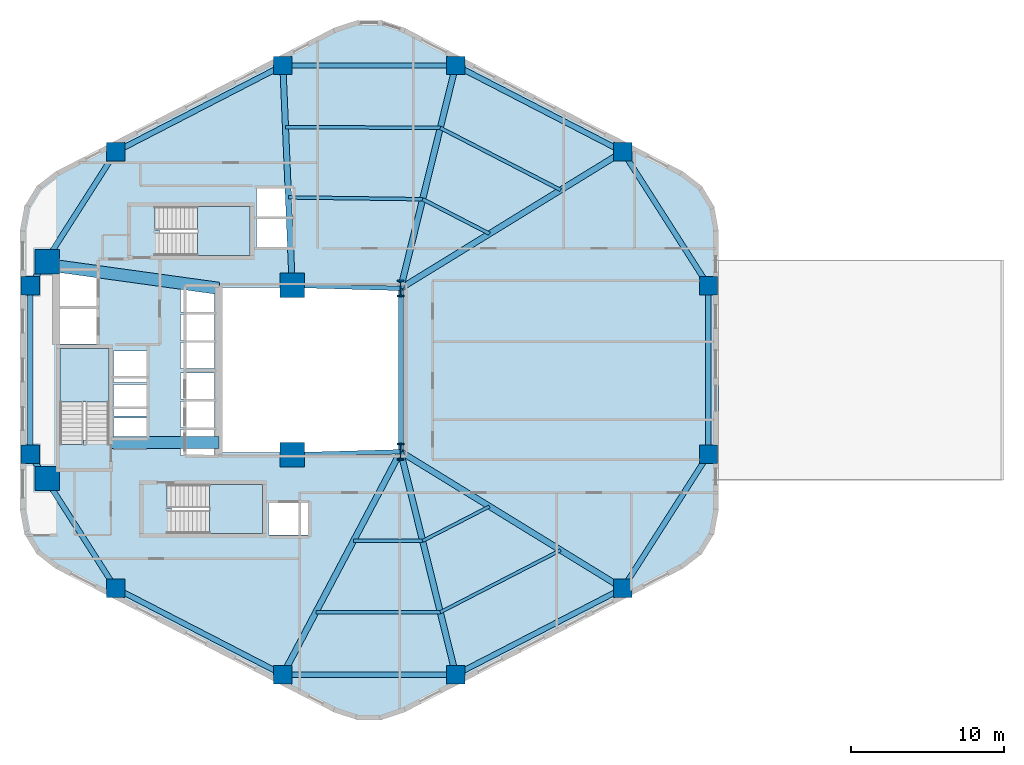
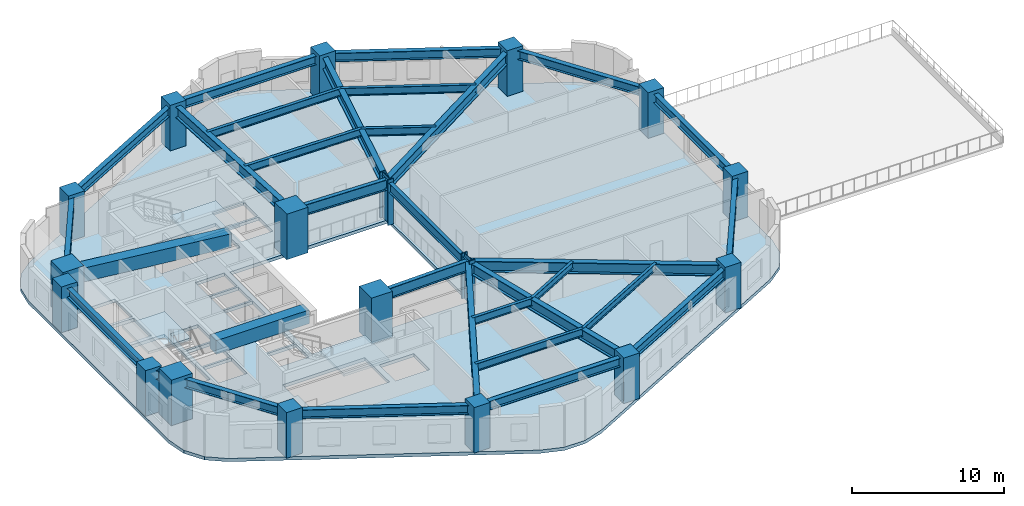
# One storey, part 1 of 8: 31 beams, 18 columns, 4 slabs, 3 elements without a shape of their own.
"""IFC4 building model written with IfcOpenShell, lengths in metres."""

from ifc_helpers import new_model, si_unit, direction, frame, origin, origin_2d, place, context, subcontext, project, spatial, polyline, rectangle, i_section, outline, extrude, material, layer, layer_set, material_profile, profile_set, type_object, element, aggregate, save


model = new_model("IFC4")

# Units and contexts
model_context = context("Model", 3, precision=1e-05, world=origin(), true_north=direction((0.0, 1.0)))
body_context = subcontext(model_context, "Body", "Model", "MODEL_VIEW")
ifc_project = project(units=[si_unit("LENGTHUNIT", "METRE"), si_unit("AREAUNIT", "SQUARE_METRE"), si_unit("VOLUMEUNIT", "CUBIC_METRE"), si_unit("PLANEANGLEUNIT", "RADIAN"), si_unit("MASSUNIT", "GRAM", prefix="KILO"), si_unit("THERMODYNAMICTEMPERATUREUNIT", "KELVIN"), si_unit("POWERUNIT", "WATT")], contexts=[model_context])

# Site, building, storey
site_placement = place(None, origin())
site = spatial("IfcSite", under=ifc_project, at=site_placement, CompositionType="ELEMENT")
building_placement = place(site_placement, origin())
building = spatial("IfcBuilding", under=site, at=building_placement, Name="Skarre Station Tower", CompositionType="ELEMENT")
storey_placement = place(building_placement, frame((0.0, 0.0, 63.5)))
storey = spatial("IfcBuildingStorey", under=building, at=storey_placement, Name="L16", CompositionType="ELEMENT", Elevation=63.5)

# Columns
ifc_material_1 = material(Name="Concrete C60/75", Category="concrete")
ifc_material_profile_1 = material_profile(ifc_material_1, rectangle(XDim=1.199951171875, YDim=1.199951171875, at=origin_2d()), Name="Concrete C60/75")
ifc_profile_set_1 = profile_set([ifc_material_profile_1], Name="Concrete C60/75")
column_type_1 = type_object("IfcColumnType", Name="RC Structural Column RC-COL-1200X1200", PredefinedType="COLUMN", material=ifc_profile_set_1)
for number, where, z_axis, x_axis, name in (
    (1, (54.007080078125, 38.298095703125, 0.0), (0.0, 0.0, 1.0), (1.0, 0.0, 0.0), "L16 Zone 1 Perimeter Column F0C1"),
    (2, (43.06005859375, 43.947021484375, 0.0), (0.0, 0.0, 1.0), (1.0, 0.0, 0.0), "L16 Zone 1 Perimeter Column F0C2"),
    (3, (31.739990234375, 43.947021484375, 0.0), (0.0, 0.0, 1.0), (1.0, 0.0, 0.0), "L16 Zone 1 Perimeter Column F1C1"),
    (4, (20.79296875, 38.298095703125, 0.0), (0.0, 0.0, 1.0), (1.0, 0.0, 0.0), "L16 Zone 1 Perimeter Column F1C2"),
    (5, (15.18701171875, 29.52099609375, 0.0), (0.0, 0.0, 1.0), (1.0, 0.0, 0.0), "L16 Zone 1 Perimeter Column F2C1"),
    (6, (15.18701171875, 18.47900390625, 0.0), (0.0, 0.0, 1.0), (1.0, 0.0, 0.0), "L16 Zone 1 Perimeter Column F2C2"),
    (7, (20.79296875, 9.701904296875, 0.0), (0.0, 0.0, 1.0), (1.0, 0.0, 0.0), "L16 Zone 1 Perimeter Column F3C1"),
    (8, (31.739990234375, 4.052978515625, 0.0), (0.0, 0.0, 1.0), (1.0, 0.0, 0.0), "L16 Zone 1 Perimeter Column F3C2"),
    (9, (43.06005859375, 4.052978515625, 0.0), (0.0, 0.0, 1.0), (1.0, 0.0, 0.0), "L16 Zone 1 Perimeter Column F4C1"),
    (10, (54.007080078125, 9.701904296875, 0.0), (0.0, 0.0, 1.0), (1.0, 0.0, 0.0), "L16 Zone 1 Perimeter Column F4C2"),
    (11, (59.613037109375, 18.47900390625, 0.0), (0.0, 0.0, 1.0), (1.0, 0.0, 0.0), "L16 Zone 1 Perimeter Column F5C1"),
    (12, (59.613037109375, 29.52099609375, 0.0), (0.0, 0.0, 1.0), (1.0, 0.0, 0.0), "L16 Zone 1 Perimeter Column F5C2"),
):
    element("IfcColumn", number, at=place(storey_placement, frame(where, z_axis=z_axis, x_axis=x_axis)), inside=storey, type_object=column_type_1, Name=name, PredefinedType="COLUMN", context=body_context, shape_type="SweptSolid", body=[
        extrude(rectangle(XDim=1.199951171875, YDim=1.199951171875, at=origin_2d()), origin(), (0.0, 0.0, 1.0), 3.64990234375),
    ])
ifc_material_2 = material(Name="Concrete C70/85", Category="concrete")
ifc_material_profile_2 = material_profile(ifc_material_2, rectangle(XDim=1.60009765625, YDim=1.60009765625, at=origin_2d()), Name="Concrete C70/85")
ifc_profile_set_2 = profile_set([ifc_material_profile_2], Name="Concrete C70/85")
column_type_2 = type_object("IfcColumnType", Name="RC Structural Column RC-COL-1600X1600", PredefinedType="COLUMN", material=ifc_profile_set_2)
for number, where, z_axis, x_axis, name in (
    (13, (16.300048828125, 16.89990234375, 0.0), (0.0, 0.0, 1.0), (1.0, 0.0, 0.0), "L16 Core Column CC-SW"),
    (14, (16.300048828125, 31.10009765625, 0.0), (0.0, 0.0, 1.0), (1.0, 0.0, 0.0), "L16 Core Column CC-NW"),
    (15, (32.35009765625, 18.449951171875, 0.0), (0.0, 0.0, 1.0), (1.0, 0.0, 0.0), "L16 Core Column CC-SE"),
    (16, (32.35009765625, 29.550048828125, 0.0), (0.0, 0.0, 1.0), (1.0, 0.0, 0.0), "L16 Core Column CC-NE"),
):
    element("IfcColumn", number, at=place(storey_placement, frame(where, z_axis=z_axis, x_axis=x_axis)), inside=storey, type_object=column_type_2, Name=name, PredefinedType="COLUMN", context=body_context, shape_type="SweptSolid", body=[
        extrude(rectangle(XDim=1.60009765625, YDim=1.60009765625, at=origin_2d()), origin(), (0.0, 0.0, 1.0), 3.64990234375),
    ])
ifc_material_3 = material(Name="Steel ASTM A913 Grade 65", Category="steel")
ifc_material_profile_3 = material_profile(ifc_material_3, i_section(OverallWidth=0.424072265625, OverallDepth=1.092041015625, WebThickness=0.044921875, FlangeThickness=0.08203125, at=origin_2d()), Name="Steel ASTM A913 Grade 65")
ifc_profile_set_3 = profile_set([ifc_material_profile_3], Name="Steel ASTM A913 Grade 65")
column_type_3 = type_object("IfcColumnType", Name="Steel Column W40X593", PredefinedType="COLUMN", material=ifc_profile_set_3)
for number, where, z_axis, x_axis, name in (
    (17, (39.449951171875, 18.64990234375, 0.0), (0.0, 0.0, 1.0), (1.0, 0.0, 0.0), "L16 Atrium Spine Column AC-SE"),
    (18, (39.449951171875, 29.35009765625, 0.0), (0.0, 0.0, 1.0), (1.0, 0.0, 0.0), "L16 Atrium Spine Column AC-NE"),
):
    element("IfcColumn", number, at=place(storey_placement, frame(where, z_axis=z_axis, x_axis=x_axis)), inside=storey, type_object=column_type_3, Name=name, PredefinedType="COLUMN", context=body_context, shape_type="SweptSolid", body=[
        extrude(i_section(OverallWidth=0.424072265625, OverallDepth=1.092041015625, WebThickness=0.044921875, FlangeThickness=0.08203125, at=origin_2d()), origin(), (0.0, 0.0, 1.0), 3.64990234375),
    ])

# Beams
ifc_material_profile_4 = material_profile(ifc_material_2, rectangle(XDim=0.800048828125, YDim=1.10009765625, at=origin_2d()), Name="Concrete C70/85")
ifc_profile_set_4 = profile_set([ifc_material_profile_4], Name="Concrete C70/85")
beam_type_1 = type_object("IfcBeamType", Name="RC Core Coupling Lintel 800x1100", PredefinedType="LINTEL", material=ifc_profile_set_4)
beam_1_placement = place(storey_placement, frame((20.489990234375, 19.260009765625, 2.840087890625), z_axis=(1.0, 0.0, 0.0), x_axis=(0.0, 1.0, 0.0)))
element("IfcBeam", 19, at=beam_1_placement, inside=storey, type_object=beam_type_1, Name="L16 South Core Coupling Lintel", PredefinedType="LINTEL", context=body_context, shape_type="SweptSolid", body=[
    extrude(rectangle(XDim=0.800048828125, YDim=1.10009765625, at=origin_2d()), origin(), (0.0, 0.0, 1.0), 7.06005859375),
])
beam_2_placement = place(storey_placement, frame((17.050048828125, 30.800048828125, 2.840087890625), z_axis=(0.990599723633, -0.136792498109, 0.0), x_axis=(0.136792498109, 0.990599723633, 0.0)))
element("IfcBeam", 20, at=beam_2_placement, inside=storey, type_object=beam_type_1, Name="L16 North Core Coupling Lintel", PredefinedType="LINTEL", context=body_context, shape_type="SweptSolid", body=[
    extrude(rectangle(XDim=0.800048828125, YDim=1.10009765625, at=origin_2d()), origin(), (0.0, 0.0, 1.0), 10.599609375),
])
ifc_material_4 = material(Name="Steel ASTM A992 Grade 50", Category="steel")
ifc_material_profile_5 = material_profile(ifc_material_4, i_section(OverallWidth=0.26806640625, OverallDepth=0.77001953125, WebThickness=0.01611328125, FlangeThickness=0.02490234375, at=origin_2d()), Name="Steel ASTM A992 Grade 50")
ifc_profile_set_5 = profile_set([ifc_material_profile_5], Name="Steel ASTM A992 Grade 50")
beam_type_2 = type_object("IfcBeamType", Name="Steel Beam W30X132", PredefinedType="BEAM", material=ifc_profile_set_5)
beam_3_placement = place(storey_placement, frame((39.449951171875, 18.64990234375, 3.0048828125), z_axis=(0.0, 1.0, 0.0), x_axis=(-1.0, 0.0, 0.0)))
element("IfcBeam", 21, at=beam_3_placement, inside=storey, type_object=beam_type_2, Name="L16 Atrium East Edge Girder", PredefinedType="BEAM", context=body_context, shape_type="SweptSolid", body=[
    extrude(i_section(OverallWidth=0.26806640625, OverallDepth=0.77001953125, WebThickness=0.01611328125, FlangeThickness=0.02490234375, at=origin_2d()), origin(), (0.0, 0.0, 1.0), 10.7001953125),
])
ifc_material_profile_6 = material_profile(ifc_material_4, i_section(OverallWidth=0.2919921875, OverallDepth=0.85888671875, WebThickness=0.01708984375, FlangeThickness=0.031005859375, at=origin_2d()), Name="Steel ASTM A992 Grade 50")
ifc_profile_set_6 = profile_set([ifc_material_profile_6], Name="Steel ASTM A992 Grade 50")
beam_type_3 = type_object("IfcBeamType", Name="Steel Beam W33X169", PredefinedType="BEAM", material=ifc_profile_set_6)
for number, where, z_axis, x_axis, name in (
    (22, (32.35009765625, 18.449951171875, 2.9599609375), (0.999603666405, 0.028151556095, 0.0), (-0.028151556095, 0.999603666405, 0.0), "L16 Atrium South Edge Girder"),
    (23, (32.35009765625, 29.550048828125, 2.9599609375), (0.999603666405, -0.028151556095, 0.0), (0.028151556095, 0.999603666405, 0.0), "L16 Atrium North Edge Girder"),
):
    element("IfcBeam", number, at=place(storey_placement, frame(where, z_axis=z_axis, x_axis=x_axis)), inside=storey, type_object=beam_type_3, Name=name, PredefinedType="BEAM", context=body_context, shape_type="SweptSolid", body=[
        extrude(i_section(OverallWidth=0.2919921875, OverallDepth=0.85888671875, WebThickness=0.01708984375, FlangeThickness=0.031005859375, at=origin_2d()), origin(), (0.0, 0.0, 1.0), 7.102783203125),
    ])
ifc_material_profile_7 = material_profile(ifc_material_4, i_section(OverallWidth=0.40087890625, OverallDepth=0.876953125, WebThickness=0.02197265625, FlangeThickness=0.0400390625, at=origin_2d()), Name="Steel ASTM A992 Grade 50")
ifc_profile_set_7 = profile_set([ifc_material_profile_7], Name="Steel ASTM A992 Grade 50")
beam_type_4 = type_object("IfcBeamType", Name="Steel Beam W33X263", PredefinedType="BEAM", material=ifc_profile_set_7)
beam_4_placement = place(storey_placement, frame((39.449951171875, 29.35009765625, 2.950927734375), z_axis=(0.851925565957, 0.523662897358, 0.0), x_axis=(-0.523662897358, 0.851925565957, 0.0)))
element("IfcBeam", 24, at=beam_4_placement, inside=storey, type_object=beam_type_4, Name="L16 Radial Floor Girder F0C1", PredefinedType="BEAM", context=body_context, shape_type="SweptSolid", body=[
    extrude(i_section(OverallWidth=0.40087890625, OverallDepth=0.876953125, WebThickness=0.02197265625, FlangeThickness=0.0400390625, at=origin_2d()), origin(), (0.0, 0.0, 1.0), 17.08740234375),
])
beam_5_placement = place(storey_placement, frame((39.449951171875, 29.35009765625, 2.950927734375), z_axis=(0.240086037639, 0.9707516132, 0.0), x_axis=(-0.9707516132, 0.240086037639, 0.0)))
element("IfcBeam", 25, at=beam_5_placement, inside=storey, type_object=beam_type_4, Name="L16 Radial Floor Girder F0C2", PredefinedType="BEAM", context=body_context, shape_type="SweptSolid", body=[
    extrude(i_section(OverallWidth=0.40087890625, OverallDepth=0.876953125, WebThickness=0.02197265625, FlangeThickness=0.0400390625, at=origin_2d()), origin(), (0.0, 0.0, 1.0), 15.03662109375),
])
beam_6_placement = place(storey_placement, frame((32.35009765625, 29.550048828125, 2.950927734375), z_axis=(-0.042339479433, 0.999103282189, 0.0), x_axis=(-0.999103282189, -0.042339479433, 0.0)))
element("IfcBeam", 26, at=beam_6_placement, inside=storey, type_object=beam_type_4, Name="L16 Radial Floor Girder F1C1", PredefinedType="BEAM", context=body_context, shape_type="SweptSolid", body=[
    extrude(i_section(OverallWidth=0.40087890625, OverallDepth=0.876953125, WebThickness=0.02197265625, FlangeThickness=0.0400390625, at=origin_2d()), origin(), (0.0, 0.0, 1.0), 14.409912109375),
])
beam_7_placement = place(storey_placement, frame((39.449951171875, 18.64990234375, 2.950927734375), z_axis=(-0.467044240884, -0.884233949279, 0.0), x_axis=(0.884233949279, -0.467044240884, 0.0)))
element("IfcBeam", 27, at=beam_7_placement, inside=storey, type_object=beam_type_4, Name="L16 Radial Floor Girder F3C2", PredefinedType="BEAM", context=body_context, shape_type="SweptSolid", body=[
    extrude(i_section(OverallWidth=0.40087890625, OverallDepth=0.876953125, WebThickness=0.02197265625, FlangeThickness=0.0400390625, at=origin_2d()), origin(), (0.0, 0.0, 1.0), 16.508056640625),
])
beam_8_placement = place(storey_placement, frame((39.449951171875, 18.64990234375, 2.950927734375), z_axis=(0.240086037639, -0.9707516132, 0.0), x_axis=(0.9707516132, 0.240086037639, 0.0)))
element("IfcBeam", 28, at=beam_8_placement, inside=storey, type_object=beam_type_4, Name="L16 Radial Floor Girder F4C1", PredefinedType="BEAM", context=body_context, shape_type="SweptSolid", body=[
    extrude(i_section(OverallWidth=0.40087890625, OverallDepth=0.876953125, WebThickness=0.02197265625, FlangeThickness=0.0400390625, at=origin_2d()), origin(), (0.0, 0.0, 1.0), 15.03662109375),
])
beam_9_placement = place(storey_placement, frame((39.449951171875, 18.64990234375, 2.950927734375), z_axis=(0.851925565957, -0.523662897358, 0.0), x_axis=(0.523662897358, 0.851925565957, 0.0)))
element("IfcBeam", 29, at=beam_9_placement, inside=storey, type_object=beam_type_4, Name="L16 Radial Floor Girder F4C2", PredefinedType="BEAM", context=body_context, shape_type="SweptSolid", body=[
    extrude(i_section(OverallWidth=0.40087890625, OverallDepth=0.876953125, WebThickness=0.02197265625, FlangeThickness=0.0400390625, at=origin_2d()), origin(), (0.0, 0.0, 1.0), 17.08740234375),
])
ifc_material_profile_8 = material_profile(ifc_material_4, i_section(OverallWidth=0.208984375, OverallDepth=0.532958984375, WebThickness=0.010009765625, FlangeThickness=0.01611328125, at=origin_2d()), Name="Steel ASTM A992 Grade 50")
ifc_profile_set_8 = profile_set([ifc_material_profile_8], Name="Steel ASTM A992 Grade 50")
beam_type_5 = type_object("IfcBeamType", Name="Steel Joist W21X62", PredefinedType="JOIST", material=ifc_profile_set_8)
beam_10_placement = place(storey_placement, frame((40.89404296875, 12.81103515625, 3.1240234375), z_axis=(0.888626519249, 0.458631561591, 0.0), x_axis=(-0.458631561591, 0.888626519249, 0.0)))
element("IfcBeam", 30, at=beam_10_placement, inside=storey, type_object=beam_type_5, Name="L16 Auxiliary Composite Joist 7", PredefinedType="JOIST", context=body_context, shape_type="SweptSolid", body=[
    extrude(i_section(OverallWidth=0.208984375, OverallDepth=0.532958984375, WebThickness=0.010009765625, FlangeThickness=0.01611328125, at=origin_2d()), origin(), (0.0, 0.0, 1.0), 4.927734375),
])
beam_11_placement = place(storey_placement, frame((42.049072265625, 8.139892578125, 3.1240234375), z_axis=(0.88866227096, 0.458562283853, 0.0), x_axis=(-0.458562283853, 0.88866227096, 0.0)))
element("IfcBeam", 31, at=beam_11_placement, inside=storey, type_object=beam_type_5, Name="L16 Auxiliary Composite Joist 8", PredefinedType="JOIST", context=body_context, shape_type="SweptSolid", body=[
    extrude(i_section(OverallWidth=0.208984375, OverallDepth=0.532958984375, WebThickness=0.010009765625, FlangeThickness=0.01611328125, at=origin_2d()), origin(), (0.0, 0.0, 1.0), 8.869384765625),
])
ifc_material_profile_9 = material_profile(ifc_material_4, i_section(OverallWidth=0.22802734375, OverallDepth=0.60791015625, WebThickness=0.010986328125, FlangeThickness=0.01708984375, at=origin_2d()), Name="Steel ASTM A992 Grade 50")
ifc_profile_set_9 = profile_set([ifc_material_profile_9], Name="Steel ASTM A992 Grade 50")
beam_type_6 = type_object("IfcBeamType", Name="Steel Joist W24X76", PredefinedType="JOIST", material=ifc_profile_set_9)
beam_12_placement = place(storey_placement, frame((45.27294921875, 32.928955078125, 3.0859375), z_axis=(-0.888626519249, 0.458631561591, 0.0), x_axis=(-0.458631561591, -0.888626519249, 0.0)))
element("IfcBeam", 32, at=beam_12_placement, inside=storey, type_object=beam_type_6, Name="L16 Secondary Floor Joist 1", PredefinedType="JOIST", context=body_context, shape_type="SweptSolid", body=[
    extrude(i_section(OverallWidth=0.22802734375, OverallDepth=0.60791015625, WebThickness=0.010986328125, FlangeThickness=0.01708984375, at=origin_2d()), origin(), (0.0, 0.0, 1.0), 4.927734375),
])
beam_13_placement = place(storey_placement, frame((49.930908203125, 35.79296875, 3.0859375), z_axis=(-0.88866227096, 0.458562283853, 0.0), x_axis=(-0.458562283853, -0.88866227096, 0.0)))
element("IfcBeam", 33, at=beam_13_placement, inside=storey, type_object=beam_type_6, Name="L16 Secondary Floor Joist 2", PredefinedType="JOIST", context=body_context, shape_type="SweptSolid", body=[
    extrude(i_section(OverallWidth=0.22802734375, OverallDepth=0.60791015625, WebThickness=0.010986328125, FlangeThickness=0.01708984375, at=origin_2d()), origin(), (0.0, 0.0, 1.0), 8.869384765625),
])
beam_14_placement = place(storey_placement, frame((40.89404296875, 35.18896484375, 3.0859375), z_axis=(-0.999906603441, 0.013666908792, 0.0), x_axis=(-0.013666908792, -0.999906603441, 0.0)))
element("IfcBeam", 34, at=beam_14_placement, inside=storey, type_object=beam_type_6, Name="L16 Secondary Floor Joist 3", PredefinedType="JOIST", context=body_context, shape_type="SweptSolid", body=[
    extrude(i_section(OverallWidth=0.22802734375, OverallDepth=0.60791015625, WebThickness=0.010986328125, FlangeThickness=0.01708984375, at=origin_2d()), origin(), (0.0, 0.0, 1.0), 8.788818359375),
])
beam_15_placement = place(storey_placement, frame((42.049072265625, 39.860107421875, 3.0859375), z_axis=(-0.999984794845, 0.005514533498, 0.0), x_axis=(-0.005514533498, -0.999984794845, 0.0)))
element("IfcBeam", 35, at=beam_15_placement, inside=storey, type_object=beam_type_6, Name="L16 Secondary Floor Joist 4", PredefinedType="JOIST", context=body_context, shape_type="SweptSolid", body=[
    extrude(i_section(OverallWidth=0.22802734375, OverallDepth=0.60791015625, WebThickness=0.010986328125, FlangeThickness=0.01708984375, at=origin_2d()), origin(), (0.0, 0.0, 1.0), 10.138427734375),
])
beam_16_placement = place(storey_placement, frame((36.365966796875, 12.81103515625, 3.0859375), z_axis=(1.0, 0.0, 0.0), x_axis=(0.0, 1.0, 0.0)))
element("IfcBeam", 36, at=beam_16_placement, inside=storey, type_object=beam_type_6, Name="L16 Secondary Floor Joist 5", PredefinedType="JOIST", context=body_context, shape_type="SweptSolid", body=[
    extrude(i_section(OverallWidth=0.22802734375, OverallDepth=0.60791015625, WebThickness=0.010986328125, FlangeThickness=0.01708984375, at=origin_2d()), origin(), (0.0, 0.0, 1.0), 4.528076171875),
])
beam_17_placement = place(storey_placement, frame((33.89892578125, 8.139892578125, 3.0859375), z_axis=(1.0, 0.0, 0.0), x_axis=(0.0, 1.0, 0.0)))
element("IfcBeam", 37, at=beam_17_placement, inside=storey, type_object=beam_type_6, Name="L16 Secondary Floor Joist 6", PredefinedType="JOIST", context=body_context, shape_type="SweptSolid", body=[
    extrude(i_section(OverallWidth=0.22802734375, OverallDepth=0.60791015625, WebThickness=0.010986328125, FlangeThickness=0.01708984375, at=origin_2d()), origin(), (0.0, 0.0, 1.0), 8.150146484375),
])
ifc_material_profile_10 = material_profile(ifc_material_4, i_section(OverallWidth=0.35791015625, OverallDepth=0.7060546875, WebThickness=0.01806640625, FlangeThickness=0.030029296875, at=origin_2d()), Name="Steel ASTM A992 Grade 50")
ifc_profile_set_10 = profile_set([ifc_material_profile_10], Name="Steel ASTM A992 Grade 50")
beam_type_7 = type_object("IfcBeamType", Name="Steel Spandrel W27X178", PredefinedType="SPANDREL", material=ifc_profile_set_10)
beam_18_placement = place(storey_placement, frame((54.007080078125, 38.298095703125, 3.037109375), z_axis=(-0.888658695823, 0.458569212158, 0.0), x_axis=(-0.458569212158, -0.888658695823, 0.0)))
element("IfcBeam", 38, at=beam_18_placement, inside=storey, type_object=beam_type_7, Name="L16 Facet Spandrel Beam 1", PredefinedType="SPANDREL", context=body_context, shape_type="SweptSolid", body=[
    extrude(i_section(OverallWidth=0.35791015625, OverallDepth=0.7060546875, WebThickness=0.01806640625, FlangeThickness=0.030029296875, at=origin_2d()), origin(), (0.0, 0.0, 1.0), 12.318603515625),
])
beam_19_placement = place(storey_placement, frame((43.06005859375, 43.947021484375, 3.037109375), z_axis=(-1.0, 0.0, 0.0), x_axis=(0.0, -1.0, 0.0)))
element("IfcBeam", 39, at=beam_19_placement, inside=storey, type_object=beam_type_7, Name="L16 Facet Spandrel Beam 2", PredefinedType="SPANDREL", context=body_context, shape_type="SweptSolid", body=[
    extrude(i_section(OverallWidth=0.35791015625, OverallDepth=0.7060546875, WebThickness=0.01806640625, FlangeThickness=0.030029296875, at=origin_2d()), origin(), (0.0, 0.0, 1.0), 11.320068359375),
])
beam_20_placement = place(storey_placement, frame((31.739990234375, 43.947021484375, 3.037109375), z_axis=(-0.888658695823, -0.458569212158, 0.0), x_axis=(0.458569212158, -0.888658695823, 0.0)))
element("IfcBeam", 40, at=beam_20_placement, inside=storey, type_object=beam_type_7, Name="L16 Facet Spandrel Beam 3", PredefinedType="SPANDREL", context=body_context, shape_type="SweptSolid", body=[
    extrude(i_section(OverallWidth=0.35791015625, OverallDepth=0.7060546875, WebThickness=0.01806640625, FlangeThickness=0.030029296875, at=origin_2d()), origin(), (0.0, 0.0, 1.0), 12.318603515625),
])
beam_21_placement = place(storey_placement, frame((20.79296875, 38.298095703125, 3.037109375), z_axis=(-0.538277829225, -0.842767452246, 0.0), x_axis=(0.842767452246, -0.538277829225, 0.0)))
element("IfcBeam", 41, at=beam_21_placement, inside=storey, type_object=beam_type_7, Name="L16 Facet Spandrel Beam 4", PredefinedType="SPANDREL", context=body_context, shape_type="SweptSolid", body=[
    extrude(i_section(OverallWidth=0.35791015625, OverallDepth=0.7060546875, WebThickness=0.01806640625, FlangeThickness=0.030029296875, at=origin_2d()), origin(), (0.0, 0.0, 1.0), 10.41455078125),
])
beam_22_placement = place(storey_placement, frame((15.18701171875, 29.52099609375, 3.037109375), z_axis=(0.0, -1.0, 0.0), x_axis=(1.0, 0.0, 0.0)))
element("IfcBeam", 42, at=beam_22_placement, inside=storey, type_object=beam_type_7, Name="L16 Facet Spandrel Beam 5", PredefinedType="SPANDREL", context=body_context, shape_type="SweptSolid", body=[
    extrude(i_section(OverallWidth=0.35791015625, OverallDepth=0.7060546875, WebThickness=0.01806640625, FlangeThickness=0.030029296875, at=origin_2d()), origin(), (0.0, 0.0, 1.0), 11.0419921875),
])
beam_23_placement = place(storey_placement, frame((15.18701171875, 18.47900390625, 3.037109375), z_axis=(0.538277829225, -0.842767452246, 0.0), x_axis=(0.842767452246, 0.538277829225, 0.0)))
element("IfcBeam", 43, at=beam_23_placement, inside=storey, type_object=beam_type_7, Name="L16 Facet Spandrel Beam 6", PredefinedType="SPANDREL", context=body_context, shape_type="SweptSolid", body=[
    extrude(i_section(OverallWidth=0.35791015625, OverallDepth=0.7060546875, WebThickness=0.01806640625, FlangeThickness=0.030029296875, at=origin_2d()), origin(), (0.0, 0.0, 1.0), 10.41455078125),
])
beam_24_placement = place(storey_placement, frame((20.79296875, 9.701904296875, 3.037109375), z_axis=(0.888658695823, -0.458569212158, 0.0), x_axis=(0.458569212158, 0.888658695823, 0.0)))
element("IfcBeam", 44, at=beam_24_placement, inside=storey, type_object=beam_type_7, Name="L16 Facet Spandrel Beam 7", PredefinedType="SPANDREL", context=body_context, shape_type="SweptSolid", body=[
    extrude(i_section(OverallWidth=0.35791015625, OverallDepth=0.7060546875, WebThickness=0.01806640625, FlangeThickness=0.030029296875, at=origin_2d()), origin(), (0.0, 0.0, 1.0), 12.318603515625),
])
beam_25_placement = place(storey_placement, frame((31.739990234375, 4.052978515625, 3.037109375), z_axis=(1.0, 0.0, 0.0), x_axis=(0.0, 1.0, 0.0)))
element("IfcBeam", 45, at=beam_25_placement, inside=storey, type_object=beam_type_7, Name="L16 Facet Spandrel Beam 8", PredefinedType="SPANDREL", context=body_context, shape_type="SweptSolid", body=[
    extrude(i_section(OverallWidth=0.35791015625, OverallDepth=0.7060546875, WebThickness=0.01806640625, FlangeThickness=0.030029296875, at=origin_2d()), origin(), (0.0, 0.0, 1.0), 11.320068359375),
])
beam_26_placement = place(storey_placement, frame((43.06005859375, 4.052978515625, 3.037109375), z_axis=(0.888658695823, 0.458569212158, 0.0), x_axis=(-0.458569212158, 0.888658695823, 0.0)))
element("IfcBeam", 46, at=beam_26_placement, inside=storey, type_object=beam_type_7, Name="L16 Facet Spandrel Beam 9", PredefinedType="SPANDREL", context=body_context, shape_type="SweptSolid", body=[
    extrude(i_section(OverallWidth=0.35791015625, OverallDepth=0.7060546875, WebThickness=0.01806640625, FlangeThickness=0.030029296875, at=origin_2d()), origin(), (0.0, 0.0, 1.0), 12.318603515625),
])
beam_27_placement = place(storey_placement, frame((54.007080078125, 9.701904296875, 3.037109375), z_axis=(0.538277829225, 0.842767452246, 0.0), x_axis=(-0.842767452246, 0.538277829225, 0.0)))
element("IfcBeam", 47, at=beam_27_placement, inside=storey, type_object=beam_type_7, Name="L16 Facet Spandrel Beam 10", PredefinedType="SPANDREL", context=body_context, shape_type="SweptSolid", body=[
    extrude(i_section(OverallWidth=0.35791015625, OverallDepth=0.7060546875, WebThickness=0.01806640625, FlangeThickness=0.030029296875, at=origin_2d()), origin(), (0.0, 0.0, 1.0), 10.41455078125),
])
beam_28_placement = place(storey_placement, frame((59.613037109375, 18.47900390625, 3.037109375), z_axis=(0.0, 1.0, 0.0), x_axis=(-1.0, 0.0, 0.0)))
element("IfcBeam", 48, at=beam_28_placement, inside=storey, type_object=beam_type_7, Name="L16 Facet Spandrel Beam 11", PredefinedType="SPANDREL", context=body_context, shape_type="SweptSolid", body=[
    extrude(i_section(OverallWidth=0.35791015625, OverallDepth=0.7060546875, WebThickness=0.01806640625, FlangeThickness=0.030029296875, at=origin_2d()), origin(), (0.0, 0.0, 1.0), 11.0419921875),
])
beam_29_placement = place(storey_placement, frame((59.613037109375, 29.52099609375, 3.037109375), z_axis=(-0.538277829225, 0.842767452246, 0.0), x_axis=(-0.842767452246, -0.538277829225, 0.0)))
element("IfcBeam", 49, at=beam_29_placement, inside=storey, type_object=beam_type_7, Name="L16 Facet Spandrel Beam 12", PredefinedType="SPANDREL", context=body_context, shape_type="SweptSolid", body=[
    extrude(i_section(OverallWidth=0.35791015625, OverallDepth=0.7060546875, WebThickness=0.01806640625, FlangeThickness=0.030029296875, at=origin_2d()), origin(), (0.0, 0.0, 1.0), 10.41455078125),
])

# Stair, slab
ifc_material_5 = material(Name="Concrete C40/50", Category="concrete")
stair_type_1 = type_object("IfcStairType", Name="Reinforced Concrete Exit Stair ST-1", PredefinedType="HALF_TURN_STAIR", material=ifc_material_5)
stair_1_placement = place(storey_placement, origin())
stair_1 = element("IfcStair", 50, at=stair_1_placement, inside=storey, type_object=stair_type_1, Name="L16 Core Exit Stair ST-1", PredefinedType="HALF_TURN_STAIR")
ifc_layer_1 = layer(ifc_material_5, 0.219970703125, Name="Concrete C40/50")
ifc_layer_set_1 = layer_set([ifc_layer_1], Name="Concrete C40/50")
slab_type_1 = type_object("IfcSlabType", Name="Reinforced Concrete Stair & Ramp Landing 220", PredefinedType="LANDING", material=ifc_layer_set_1)
slab_1_placement = place(storey_placement, frame((0.0, 0.0, 1.625)))
slab_1 = element("IfcSlab", 51, at=slab_1_placement, type_object=slab_type_1, Name="ST-1 landing 1", PredefinedType="LANDING", context=body_context, shape_type="SweptSolid", body=[
    extrude(outline(polyline([(20.35009765625, 21.919921875), (20.35009765625, 25.39990234375), (17.14990234375, 25.39990234375), (17.14990234375, 21.919921875), (20.35009765625, 21.919921875)])), origin(), (0.0, 0.0, 1.0), 0.199951171875),
])
aggregate(stair_1, [slab_1])

stair_type_2 = type_object("IfcStairType", Name="Reinforced Concrete Exit Stair ST-2", PredefinedType="HALF_TURN_STAIR", material=ifc_material_5)
stair_2_placement = place(storey_placement, origin())
stair_2 = element("IfcStair", 52, at=stair_2_placement, inside=storey, type_object=stair_type_2, Name="L16 Core Exit Stair ST-2", PredefinedType="HALF_TURN_STAIR")
slab_2_placement = place(storey_placement, frame((0.0, 0.0, 1.625)))
slab_2 = element("IfcSlab", 53, at=slab_2_placement, type_object=slab_type_1, Name="ST-2 landing 1", PredefinedType="LANDING", context=body_context, shape_type="SweptSolid", body=[
    extrude(outline(polyline([(26.949951171875, 13.300048828125), (30.39990234375, 13.300048828125), (30.39990234375, 16.5), (26.949951171875, 16.5), (26.949951171875, 13.300048828125)])), origin(), (0.0, 0.0, 1.0), 0.199951171875),
])
aggregate(stair_2, [slab_2])

stair_type_3 = type_object("IfcStairType", Name="Reinforced Concrete Exit Stair ST-3", PredefinedType="HALF_TURN_STAIR", material=ifc_material_5)
stair_3_placement = place(storey_placement, origin())
stair_3 = element("IfcStair", 54, at=stair_3_placement, inside=storey, type_object=stair_type_3, Name="L16 Core Exit Stair ST-3", PredefinedType="HALF_TURN_STAIR")
slab_3_placement = place(storey_placement, frame((0.0, 0.0, 1.625)))
slab_3 = element("IfcSlab", 55, at=slab_3_placement, type_object=slab_type_1, Name="ST-3 landing 1", PredefinedType="LANDING", context=body_context, shape_type="SweptSolid", body=[
    extrude(outline(polyline([(26.14990234375, 31.5), (29.60009765625, 31.5), (29.60009765625, 34.699951171875), (26.14990234375, 34.699951171875), (26.14990234375, 31.5)])), origin(), (0.0, 0.0, 1.0), 0.199951171875),
])
aggregate(stair_3, [slab_3])

# Slab
ifc_material_6 = material(Name="Concrete C50/60", Category="concrete")
ifc_layer_2 = layer(ifc_material_6, 0.260009765625, Name="Concrete C50/60")
ifc_layer_set_2 = layer_set([ifc_layer_2], Name="Concrete C50/60")
slab_type_2 = type_object("IfcSlabType", Name="Tower Typical Composite Floor Slab 260", PredefinedType="FLOOR", material=ifc_layer_set_2)
slab_4_placement = place(storey_placement, frame((0.0, 0.0, -0.260009765625)))
element("IfcSlab", 56, at=slab_4_placement, inside=storey, type_object=slab_type_2, Name="L16 Zone 1 Structural Floor Slab", PredefinedType="FLOOR", context=body_context, shape_type="SweptSolid", body=[
    extrude(outline(polyline([(60.262939453125, 33.201904296875), (59.98193359375, 34.72412109375), (59.177001953125, 36.044921875), (57.9541015625, 36.991943359375), (39.708984375, 46.407958984375), (38.196044921875, 46.906005859375), (36.60400390625, 46.906005859375), (35.091064453125, 46.407958984375), (16.845947265625, 36.991943359375), (15.623046875, 36.044921875), (14.818115234375, 34.72412109375), (14.537109375, 33.201904296875), (14.537109375, 14.798095703125), (14.818115234375, 13.27587890625), (15.623046875, 11.955078125), (16.845947265625, 11.008056640625), (35.091064453125, 1.592041015625), (36.60400390625, 1.093994140625), (38.196044921875, 1.093994140625), (39.708984375, 1.592041015625), (57.9541015625, 11.008056640625), (59.177001953125, 11.955078125), (59.98193359375, 13.27587890625), (60.262939453125, 14.798095703125), (60.262939453125, 33.201904296875)]), holes=[polyline([(18.669921875, 19.419921875), (18.669921875, 19.123046875), (17.14990234375, 19.123046875), (17.14990234375, 25.39990234375), (20.35009765625, 25.39990234375), (20.35009765625, 19.419921875), (18.669921875, 19.419921875)]), polyline([(24.449951171875, 14.97998046875), (24.153076171875, 14.97998046875), (24.153076171875, 16.5), (30.39990234375, 16.5), (30.39990234375, 13.300048828125), (24.449951171875, 13.300048828125), (24.449951171875, 14.97998046875)]), polyline([(23.64990234375, 33.179931640625), (23.35302734375, 33.179931640625), (23.35302734375, 34.699951171875), (29.60009765625, 34.699951171875), (29.60009765625, 31.5), (23.64990234375, 31.5), (23.64990234375, 33.179931640625)]), polyline([(17.14990234375, 28.0), (19.550048828125, 28.0), (19.550048828125, 25.699951171875), (17.14990234375, 25.699951171875), (17.14990234375, 28.0)]), polyline([(17.14990234375, 30.5), (19.550048828125, 30.5), (19.550048828125, 28.199951171875), (17.14990234375, 28.199951171875), (17.14990234375, 30.5)]), polyline([(30.800048828125, 15.300048828125), (33.39990234375, 15.300048828125), (33.39990234375, 13.199951171875), (30.800048828125, 13.199951171875), (30.800048828125, 15.300048828125)]), polyline([(25.050048828125, 20.10009765625), (27.25, 20.10009765625), (27.25, 18.39990234375), (25.050048828125, 18.39990234375), (25.050048828125, 20.10009765625)]), polyline([(25.050048828125, 21.949951171875), (27.25, 21.949951171875), (27.25, 20.25), (25.050048828125, 20.25), (25.050048828125, 21.949951171875)]), polyline([(25.050048828125, 23.800048828125), (27.25, 23.800048828125), (27.25, 22.10009765625), (25.050048828125, 22.10009765625), (25.050048828125, 23.800048828125)]), polyline([(25.050048828125, 25.800048828125), (27.25, 25.800048828125), (27.25, 24.10009765625), (25.050048828125, 24.10009765625), (25.050048828125, 25.800048828125)]), polyline([(25.050048828125, 27.64990234375), (27.25, 27.64990234375), (27.25, 25.949951171875), (25.050048828125, 25.949951171875), (25.050048828125, 27.64990234375)]), polyline([(25.050048828125, 29.5), (27.25, 29.5), (27.25, 27.800048828125), (25.050048828125, 27.800048828125), (25.050048828125, 29.5)]), polyline([(20.64990234375, 20.85009765625), (22.800048828125, 20.85009765625), (22.800048828125, 18.800048828125), (20.64990234375, 18.800048828125), (20.64990234375, 20.85009765625)]), polyline([(20.64990234375, 23.050048828125), (22.800048828125, 23.050048828125), (22.800048828125, 21.0), (20.64990234375, 21.0), (20.64990234375, 23.050048828125)]), polyline([(20.64990234375, 25.25), (22.800048828125, 25.25), (22.800048828125, 23.199951171875), (20.64990234375, 23.199951171875), (20.64990234375, 25.25)]), polyline([(30.0, 33.89990234375), (32.39990234375, 33.89990234375), (32.39990234375, 32.050048828125), (30.0, 32.050048828125), (30.0, 33.89990234375)]), polyline([(30.0, 35.89990234375), (32.39990234375, 35.89990234375), (32.39990234375, 34.050048828125), (30.0, 34.050048828125), (30.0, 35.89990234375)]), polyline([(27.60009765625, 29.39990234375), (39.60009765625, 29.39990234375), (39.60009765625, 18.60009765625), (27.60009765625, 18.60009765625), (27.60009765625, 29.39990234375)])]), origin(), (0.0, 0.0, 1.0), 0.260009765625),
])

save(model, "model.ifc")
